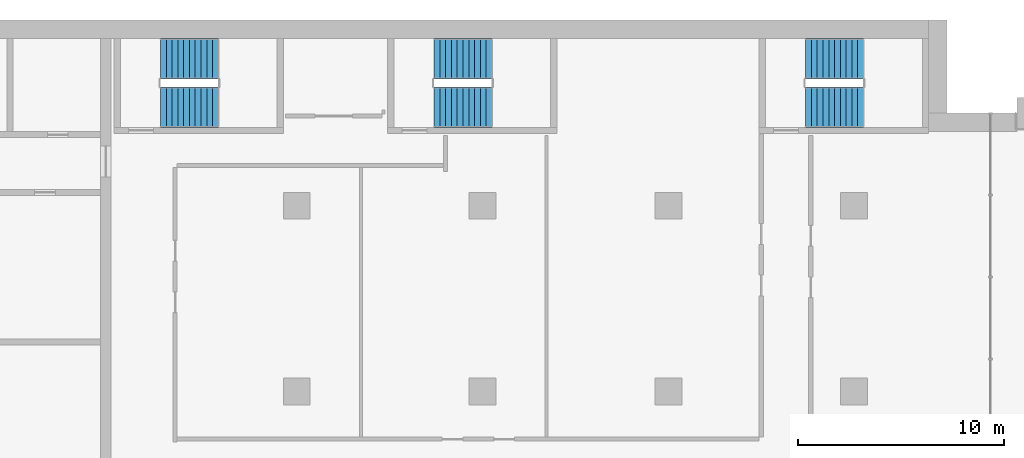
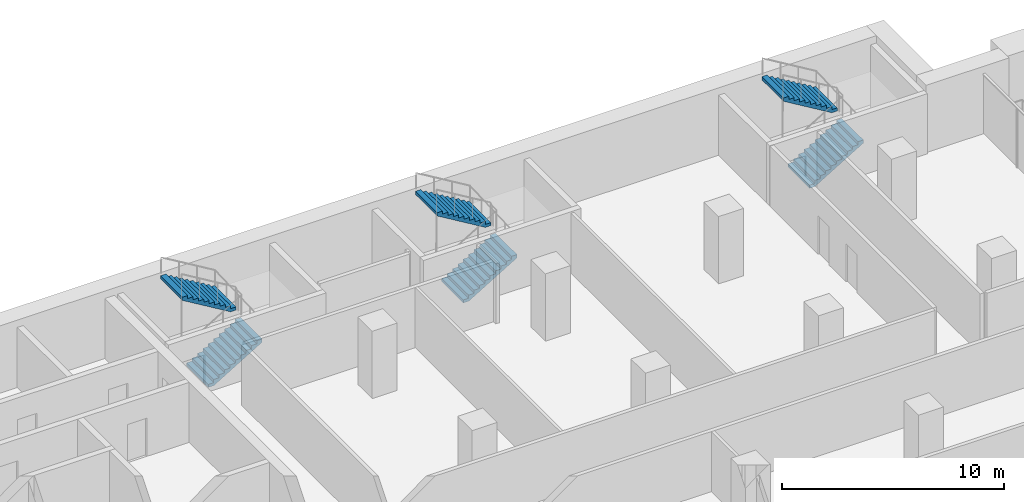
# One storey, part 18 of 23: 6 stair flights, 3 elements without a shape of their own.
"""IFC4 building model written with IfcOpenShell, lengths in metres."""

from ifc_helpers import new_model, si_unit, direction, frame, origin, place, context, subcontext, project, spatial, polyline, outline, extrude, material, type_object, element, aggregate, save


model = new_model("IFC4")

# Units and contexts
model_context = context("Model", 3, precision=1e-05, world=origin(), true_north=direction((0.0, 1.0)))
body_context = subcontext(model_context, "Body", "Model", "MODEL_VIEW")
ifc_project = project(units=[si_unit("LENGTHUNIT", "METRE"), si_unit("AREAUNIT", "SQUARE_METRE"), si_unit("VOLUMEUNIT", "CUBIC_METRE"), si_unit("PLANEANGLEUNIT", "RADIAN"), si_unit("MASSUNIT", "GRAM", prefix="KILO")], contexts=[model_context])

# Site, building, storey
site_placement = place(None, origin())
site = spatial("IfcSite", under=ifc_project, at=site_placement, CompositionType="ELEMENT")
building_placement = place(site_placement, origin())
building = spatial("IfcBuilding", under=site, at=building_placement, Name="Hunhe Ridgeline Campus", CompositionType="ELEMENT")
storey_placement = place(building_placement, frame((0.0, 0.0, 99.60009765625)))
storey = spatial("IfcBuildingStorey", under=building, at=storey_placement, Name="L24", CompositionType="ELEMENT", Elevation=99.60009765625)

# Stair, stair flights
ifc_material = material(Name="Concrete C40", Category="concrete")
stair_type = type_object("IfcStairType", Name="Reinforced concrete dog-leg stair 1950 Concrete C40", PredefinedType="HALF_TURN_STAIR", material=ifc_material)
stair_1_placement = place(storey_placement, origin())
stair_1 = element("IfcStair", 1, at=stair_1_placement, inside=storey, type_object=stair_type, Name="L24 E1", PredefinedType="HALF_TURN_STAIR")
stair_flight_type = type_object("IfcStairFlightType", Name="Reinforced concrete stair flight 1950 Concrete C40", PredefinedType="STRAIGHT", material=ifc_material)
stair_flight_1_placement = place(storey_placement, frame((38.39990234375, 94.77490234375, 0.0), z_axis=(0.0, 0.0, 1.0), x_axis=(1.0, 0.0, 0.0)))
stair_flight_1 = element("IfcStairFlight", 2, at=stair_flight_1_placement, type_object=stair_flight_type, Name="ST5 flight 1", NumberOfRisers=11, NumberOfTreads=10, PredefinedType="STRAIGHT", RiserHeight=0.168181818, TreadLength=0.28, context=body_context, shape_type="SweptSolid", body=[
    extrude(outline(polyline([(0.0, 0.0), (0.0, 0.168212890625), (0.280029296875, 0.168212890625), (0.280029296875, 0.33642578125), (0.56005859375, 0.33642578125), (0.56005859375, 0.504638671875), (0.840087890625, 0.504638671875), (0.840087890625, 0.672607421875), (1.1201171875, 0.672607421875), (1.1201171875, 0.8408203125), (1.39990234375, 0.8408203125), (1.39990234375, 1.009033203125), (1.679931640625, 1.009033203125), (1.679931640625, 1.17724609375), (1.9599609375, 1.17724609375), (1.9599609375, 1.345458984375), (2.239990234375, 1.345458984375), (2.239990234375, 1.513671875), (2.52001953125, 1.513671875), (2.52001953125, 1.681884765625), (2.800048828125, 1.681884765625), (2.800048828125, 1.85009765625), (2.800048828125, 1.5068359375), (0.291015625, 0.0), (0.0, 0.0)])), frame((0.0, 0.97509765625, 0.0), z_axis=(0.0, -1.0, 0.0), x_axis=(1.0, 0.0, 0.0)), (0.0, 0.0, 1.0), 1.949951171875),
    extrude(outline(polyline([(0.030029296875, 0.030029296875), (0.030029296875, 0.13818359375), (0.31005859375, 0.13818359375), (0.31005859375, 0.306396484375), (0.590087890625, 0.306396484375), (0.590087890625, 0.474609375), (0.8701171875, 0.474609375), (0.8701171875, 0.642578125), (1.14990234375, 0.642578125), (1.14990234375, 0.810791015625), (1.429931640625, 0.810791015625), (1.429931640625, 0.97900390625), (1.7099609375, 0.97900390625), (1.7099609375, 1.147216796875), (1.989990234375, 1.147216796875), (1.989990234375, 1.3154296875), (2.27001953125, 1.3154296875), (2.27001953125, 1.483642578125), (2.550048828125, 1.483642578125), (2.550048828125, 1.65185546875), (2.77001953125, 1.65185546875), (2.77001953125, 1.52392578125), (0.28271484375, 0.030029296875), (0.030029296875, 0.030029296875)])), frame((0.0, -0.070068359375, 0.0), z_axis=(0.0, -1.0, 0.0), x_axis=(1.0, 0.0, 0.0)), (0.0, 0.0, 1.0), 0.019775390625),
    extrude(outline(polyline([(0.030029296875, 0.030029296875), (0.030029296875, 0.13818359375), (0.31005859375, 0.13818359375), (0.31005859375, 0.306396484375), (0.590087890625, 0.306396484375), (0.590087890625, 0.474609375), (0.8701171875, 0.474609375), (0.8701171875, 0.642578125), (1.14990234375, 0.642578125), (1.14990234375, 0.810791015625), (1.429931640625, 0.810791015625), (1.429931640625, 0.97900390625), (1.7099609375, 0.97900390625), (1.7099609375, 1.147216796875), (1.989990234375, 1.147216796875), (1.989990234375, 1.3154296875), (2.27001953125, 1.3154296875), (2.27001953125, 1.483642578125), (2.550048828125, 1.483642578125), (2.550048828125, 1.65185546875), (2.77001953125, 1.65185546875), (2.77001953125, 1.52392578125), (0.28271484375, 0.030029296875), (0.030029296875, 0.030029296875)])), frame((0.0, 0.010009765625, 0.0), z_axis=(0.0, -1.0, 0.0), x_axis=(1.0, 0.0, 0.0)), (0.0, 0.0, 1.0), 0.019775390625),
    extrude(outline(polyline([(0.030029296875, 0.030029296875), (0.030029296875, 0.13818359375), (0.31005859375, 0.13818359375), (0.31005859375, 0.306396484375), (0.590087890625, 0.306396484375), (0.590087890625, 0.474609375), (0.8701171875, 0.474609375), (0.8701171875, 0.642578125), (1.14990234375, 0.642578125), (1.14990234375, 0.810791015625), (1.429931640625, 0.810791015625), (1.429931640625, 0.97900390625), (1.7099609375, 0.97900390625), (1.7099609375, 1.147216796875), (1.989990234375, 1.147216796875), (1.989990234375, 1.3154296875), (2.27001953125, 1.3154296875), (2.27001953125, 1.483642578125), (2.550048828125, 1.483642578125), (2.550048828125, 1.65185546875), (2.77001953125, 1.65185546875), (2.77001953125, 1.52392578125), (0.28271484375, 0.030029296875), (0.030029296875, 0.030029296875)])), frame((0.0, 0.090087890625, 0.0), z_axis=(0.0, -1.0, 0.0), x_axis=(1.0, 0.0, 0.0)), (0.0, 0.0, 1.0), 0.019775390625),
])
stair_flight_2_placement = place(storey_placement, frame((41.199951171875, 97.125, 1.849853515625), z_axis=(0.0, 0.0, 1.0), x_axis=(-1.0, 0.0, 0.0)))
stair_flight_2 = element("IfcStairFlight", 3, at=stair_flight_2_placement, type_object=stair_flight_type, Name="ST5 flight 2", NumberOfRisers=11, NumberOfTreads=10, PredefinedType="STRAIGHT", RiserHeight=0.168181818, TreadLength=0.28, context=body_context, shape_type="SweptSolid", body=[
    extrude(outline(polyline([(0.0, 0.0), (0.0, 0.168212890625), (0.280029296875, 0.168212890625), (0.280029296875, 0.33642578125), (0.56005859375, 0.33642578125), (0.56005859375, 0.504638671875), (0.840087890625, 0.504638671875), (0.840087890625, 0.672607421875), (1.1201171875, 0.672607421875), (1.1201171875, 0.8408203125), (1.39990234375, 0.8408203125), (1.39990234375, 1.009033203125), (1.679931640625, 1.009033203125), (1.679931640625, 1.17724609375), (1.9599609375, 1.17724609375), (1.9599609375, 1.345458984375), (2.239990234375, 1.345458984375), (2.239990234375, 1.513671875), (2.52001953125, 1.513671875), (2.52001953125, 1.681884765625), (2.800048828125, 1.681884765625), (2.800048828125, 1.85009765625), (2.800048828125, 1.5068359375), (0.291015625, 0.0), (0.0, 0.0)])), frame((0.0, 0.97509765625, 0.0), z_axis=(0.0, -1.0, 0.0), x_axis=(1.0, 0.0, 0.0)), (0.0, 0.0, 1.0), 1.949951171875),
    extrude(outline(polyline([(0.030029296875, 0.030029296875), (0.030029296875, 0.13818359375), (0.31005859375, 0.13818359375), (0.31005859375, 0.306396484375), (0.590087890625, 0.306396484375), (0.590087890625, 0.474609375), (0.8701171875, 0.474609375), (0.8701171875, 0.642578125), (1.14990234375, 0.642578125), (1.14990234375, 0.810791015625), (1.429931640625, 0.810791015625), (1.429931640625, 0.97900390625), (1.7099609375, 0.97900390625), (1.7099609375, 1.147216796875), (1.989990234375, 1.147216796875), (1.989990234375, 1.3154296875), (2.27001953125, 1.3154296875), (2.27001953125, 1.483642578125), (2.550048828125, 1.483642578125), (2.550048828125, 1.65185546875), (2.77001953125, 1.65185546875), (2.77001953125, 1.52392578125), (0.28271484375, 0.030029296875), (0.030029296875, 0.030029296875)])), frame((0.0, -0.070068359375, 0.0), z_axis=(0.0, -1.0, 0.0), x_axis=(1.0, 0.0, 0.0)), (0.0, 0.0, 1.0), 0.019775390625),
    extrude(outline(polyline([(0.030029296875, 0.030029296875), (0.030029296875, 0.13818359375), (0.31005859375, 0.13818359375), (0.31005859375, 0.306396484375), (0.590087890625, 0.306396484375), (0.590087890625, 0.474609375), (0.8701171875, 0.474609375), (0.8701171875, 0.642578125), (1.14990234375, 0.642578125), (1.14990234375, 0.810791015625), (1.429931640625, 0.810791015625), (1.429931640625, 0.97900390625), (1.7099609375, 0.97900390625), (1.7099609375, 1.147216796875), (1.989990234375, 1.147216796875), (1.989990234375, 1.3154296875), (2.27001953125, 1.3154296875), (2.27001953125, 1.483642578125), (2.550048828125, 1.483642578125), (2.550048828125, 1.65185546875), (2.77001953125, 1.65185546875), (2.77001953125, 1.52392578125), (0.28271484375, 0.030029296875), (0.030029296875, 0.030029296875)])), frame((0.0, 0.010009765625, 0.0), z_axis=(0.0, -1.0, 0.0), x_axis=(1.0, 0.0, 0.0)), (0.0, 0.0, 1.0), 0.019775390625),
    extrude(outline(polyline([(0.030029296875, 0.030029296875), (0.030029296875, 0.13818359375), (0.31005859375, 0.13818359375), (0.31005859375, 0.306396484375), (0.590087890625, 0.306396484375), (0.590087890625, 0.474609375), (0.8701171875, 0.474609375), (0.8701171875, 0.642578125), (1.14990234375, 0.642578125), (1.14990234375, 0.810791015625), (1.429931640625, 0.810791015625), (1.429931640625, 0.97900390625), (1.7099609375, 0.97900390625), (1.7099609375, 1.147216796875), (1.989990234375, 1.147216796875), (1.989990234375, 1.3154296875), (2.27001953125, 1.3154296875), (2.27001953125, 1.483642578125), (2.550048828125, 1.483642578125), (2.550048828125, 1.65185546875), (2.77001953125, 1.65185546875), (2.77001953125, 1.52392578125), (0.28271484375, 0.030029296875), (0.030029296875, 0.030029296875)])), frame((0.0, 0.090087890625, 0.0), z_axis=(0.0, -1.0, 0.0), x_axis=(1.0, 0.0, 0.0)), (0.0, 0.0, 1.0), 0.019775390625),
])
aggregate(stair_1, [stair_flight_1, stair_flight_2])

stair_2_placement = place(storey_placement, origin())
stair_2 = element("IfcStair", 4, at=stair_2_placement, inside=storey, type_object=stair_type, Name="L24 E2", PredefinedType="HALF_TURN_STAIR")
stair_flight_3_placement = place(storey_placement, frame((51.64990234375, 94.77490234375, 0.0), z_axis=(0.0, 0.0, 1.0), x_axis=(1.0, 0.0, 0.0)))
stair_flight_3 = element("IfcStairFlight", 5, at=stair_flight_3_placement, type_object=stair_flight_type, Name="ST6 flight 1", NumberOfRisers=11, NumberOfTreads=10, PredefinedType="STRAIGHT", RiserHeight=0.168181818, TreadLength=0.28, context=body_context, shape_type="SweptSolid", body=[
    extrude(outline(polyline([(0.0, 0.0), (0.0, 0.168212890625), (0.280029296875, 0.168212890625), (0.280029296875, 0.33642578125), (0.56005859375, 0.33642578125), (0.56005859375, 0.504638671875), (0.840087890625, 0.504638671875), (0.840087890625, 0.672607421875), (1.1201171875, 0.672607421875), (1.1201171875, 0.8408203125), (1.39990234375, 0.8408203125), (1.39990234375, 1.009033203125), (1.679931640625, 1.009033203125), (1.679931640625, 1.17724609375), (1.9599609375, 1.17724609375), (1.9599609375, 1.345458984375), (2.239990234375, 1.345458984375), (2.239990234375, 1.513671875), (2.52001953125, 1.513671875), (2.52001953125, 1.681884765625), (2.800048828125, 1.681884765625), (2.800048828125, 1.85009765625), (2.800048828125, 1.5068359375), (0.291015625, 0.0), (0.0, 0.0)])), frame((0.0, 0.97509765625, 0.0), z_axis=(0.0, -1.0, 0.0), x_axis=(1.0, 0.0, 0.0)), (0.0, 0.0, 1.0), 1.949951171875),
    extrude(outline(polyline([(0.030029296875, 0.030029296875), (0.030029296875, 0.13818359375), (0.31005859375, 0.13818359375), (0.31005859375, 0.306396484375), (0.590087890625, 0.306396484375), (0.590087890625, 0.474609375), (0.8701171875, 0.474609375), (0.8701171875, 0.642578125), (1.14990234375, 0.642578125), (1.14990234375, 0.810791015625), (1.429931640625, 0.810791015625), (1.429931640625, 0.97900390625), (1.7099609375, 0.97900390625), (1.7099609375, 1.147216796875), (1.989990234375, 1.147216796875), (1.989990234375, 1.3154296875), (2.27001953125, 1.3154296875), (2.27001953125, 1.483642578125), (2.550048828125, 1.483642578125), (2.550048828125, 1.65185546875), (2.77001953125, 1.65185546875), (2.77001953125, 1.52392578125), (0.28271484375, 0.030029296875), (0.030029296875, 0.030029296875)])), frame((0.0, -0.070068359375, 0.0), z_axis=(0.0, -1.0, 0.0), x_axis=(1.0, 0.0, 0.0)), (0.0, 0.0, 1.0), 0.019775390625),
    extrude(outline(polyline([(0.030029296875, 0.030029296875), (0.030029296875, 0.13818359375), (0.31005859375, 0.13818359375), (0.31005859375, 0.306396484375), (0.590087890625, 0.306396484375), (0.590087890625, 0.474609375), (0.8701171875, 0.474609375), (0.8701171875, 0.642578125), (1.14990234375, 0.642578125), (1.14990234375, 0.810791015625), (1.429931640625, 0.810791015625), (1.429931640625, 0.97900390625), (1.7099609375, 0.97900390625), (1.7099609375, 1.147216796875), (1.989990234375, 1.147216796875), (1.989990234375, 1.3154296875), (2.27001953125, 1.3154296875), (2.27001953125, 1.483642578125), (2.550048828125, 1.483642578125), (2.550048828125, 1.65185546875), (2.77001953125, 1.65185546875), (2.77001953125, 1.52392578125), (0.28271484375, 0.030029296875), (0.030029296875, 0.030029296875)])), frame((0.0, 0.010009765625, 0.0), z_axis=(0.0, -1.0, 0.0), x_axis=(1.0, 0.0, 0.0)), (0.0, 0.0, 1.0), 0.019775390625),
    extrude(outline(polyline([(0.030029296875, 0.030029296875), (0.030029296875, 0.13818359375), (0.31005859375, 0.13818359375), (0.31005859375, 0.306396484375), (0.590087890625, 0.306396484375), (0.590087890625, 0.474609375), (0.8701171875, 0.474609375), (0.8701171875, 0.642578125), (1.14990234375, 0.642578125), (1.14990234375, 0.810791015625), (1.429931640625, 0.810791015625), (1.429931640625, 0.97900390625), (1.7099609375, 0.97900390625), (1.7099609375, 1.147216796875), (1.989990234375, 1.147216796875), (1.989990234375, 1.3154296875), (2.27001953125, 1.3154296875), (2.27001953125, 1.483642578125), (2.550048828125, 1.483642578125), (2.550048828125, 1.65185546875), (2.77001953125, 1.65185546875), (2.77001953125, 1.52392578125), (0.28271484375, 0.030029296875), (0.030029296875, 0.030029296875)])), frame((0.0, 0.090087890625, 0.0), z_axis=(0.0, -1.0, 0.0), x_axis=(1.0, 0.0, 0.0)), (0.0, 0.0, 1.0), 0.019775390625),
])
stair_flight_4_placement = place(storey_placement, frame((54.449951171875, 97.125, 1.849853515625), z_axis=(0.0, 0.0, 1.0), x_axis=(-1.0, 0.0, 0.0)))
stair_flight_4 = element("IfcStairFlight", 6, at=stair_flight_4_placement, type_object=stair_flight_type, Name="ST6 flight 2", NumberOfRisers=11, NumberOfTreads=10, PredefinedType="STRAIGHT", RiserHeight=0.168181818, TreadLength=0.28, context=body_context, shape_type="SweptSolid", body=[
    extrude(outline(polyline([(0.0, 0.0), (0.0, 0.168212890625), (0.280029296875, 0.168212890625), (0.280029296875, 0.33642578125), (0.56005859375, 0.33642578125), (0.56005859375, 0.504638671875), (0.840087890625, 0.504638671875), (0.840087890625, 0.672607421875), (1.1201171875, 0.672607421875), (1.1201171875, 0.8408203125), (1.39990234375, 0.8408203125), (1.39990234375, 1.009033203125), (1.679931640625, 1.009033203125), (1.679931640625, 1.17724609375), (1.9599609375, 1.17724609375), (1.9599609375, 1.345458984375), (2.239990234375, 1.345458984375), (2.239990234375, 1.513671875), (2.52001953125, 1.513671875), (2.52001953125, 1.681884765625), (2.800048828125, 1.681884765625), (2.800048828125, 1.85009765625), (2.800048828125, 1.5068359375), (0.291015625, 0.0), (0.0, 0.0)])), frame((0.0, 0.97509765625, 0.0), z_axis=(0.0, -1.0, 0.0), x_axis=(1.0, 0.0, 0.0)), (0.0, 0.0, 1.0), 1.949951171875),
    extrude(outline(polyline([(0.030029296875, 0.030029296875), (0.030029296875, 0.13818359375), (0.31005859375, 0.13818359375), (0.31005859375, 0.306396484375), (0.590087890625, 0.306396484375), (0.590087890625, 0.474609375), (0.8701171875, 0.474609375), (0.8701171875, 0.642578125), (1.14990234375, 0.642578125), (1.14990234375, 0.810791015625), (1.429931640625, 0.810791015625), (1.429931640625, 0.97900390625), (1.7099609375, 0.97900390625), (1.7099609375, 1.147216796875), (1.989990234375, 1.147216796875), (1.989990234375, 1.3154296875), (2.27001953125, 1.3154296875), (2.27001953125, 1.483642578125), (2.550048828125, 1.483642578125), (2.550048828125, 1.65185546875), (2.77001953125, 1.65185546875), (2.77001953125, 1.52392578125), (0.28271484375, 0.030029296875), (0.030029296875, 0.030029296875)])), frame((0.0, -0.070068359375, 0.0), z_axis=(0.0, -1.0, 0.0), x_axis=(1.0, 0.0, 0.0)), (0.0, 0.0, 1.0), 0.019775390625),
    extrude(outline(polyline([(0.030029296875, 0.030029296875), (0.030029296875, 0.13818359375), (0.31005859375, 0.13818359375), (0.31005859375, 0.306396484375), (0.590087890625, 0.306396484375), (0.590087890625, 0.474609375), (0.8701171875, 0.474609375), (0.8701171875, 0.642578125), (1.14990234375, 0.642578125), (1.14990234375, 0.810791015625), (1.429931640625, 0.810791015625), (1.429931640625, 0.97900390625), (1.7099609375, 0.97900390625), (1.7099609375, 1.147216796875), (1.989990234375, 1.147216796875), (1.989990234375, 1.3154296875), (2.27001953125, 1.3154296875), (2.27001953125, 1.483642578125), (2.550048828125, 1.483642578125), (2.550048828125, 1.65185546875), (2.77001953125, 1.65185546875), (2.77001953125, 1.52392578125), (0.28271484375, 0.030029296875), (0.030029296875, 0.030029296875)])), frame((0.0, 0.010009765625, 0.0), z_axis=(0.0, -1.0, 0.0), x_axis=(1.0, 0.0, 0.0)), (0.0, 0.0, 1.0), 0.019775390625),
    extrude(outline(polyline([(0.030029296875, 0.030029296875), (0.030029296875, 0.13818359375), (0.31005859375, 0.13818359375), (0.31005859375, 0.306396484375), (0.590087890625, 0.306396484375), (0.590087890625, 0.474609375), (0.8701171875, 0.474609375), (0.8701171875, 0.642578125), (1.14990234375, 0.642578125), (1.14990234375, 0.810791015625), (1.429931640625, 0.810791015625), (1.429931640625, 0.97900390625), (1.7099609375, 0.97900390625), (1.7099609375, 1.147216796875), (1.989990234375, 1.147216796875), (1.989990234375, 1.3154296875), (2.27001953125, 1.3154296875), (2.27001953125, 1.483642578125), (2.550048828125, 1.483642578125), (2.550048828125, 1.65185546875), (2.77001953125, 1.65185546875), (2.77001953125, 1.52392578125), (0.28271484375, 0.030029296875), (0.030029296875, 0.030029296875)])), frame((0.0, 0.090087890625, 0.0), z_axis=(0.0, -1.0, 0.0), x_axis=(1.0, 0.0, 0.0)), (0.0, 0.0, 1.0), 0.019775390625),
])
aggregate(stair_2, [stair_flight_3, stair_flight_4])

stair_3_placement = place(storey_placement, origin())
stair_3 = element("IfcStair", 7, at=stair_3_placement, inside=storey, type_object=stair_type, Name="L24 E3", PredefinedType="HALF_TURN_STAIR")
stair_flight_5_placement = place(storey_placement, frame((69.64990234375, 94.77490234375, 0.0), z_axis=(0.0, 0.0, 1.0), x_axis=(1.0, 0.0, 0.0)))
stair_flight_5 = element("IfcStairFlight", 8, at=stair_flight_5_placement, type_object=stair_flight_type, Name="ST7 flight 1", NumberOfRisers=11, NumberOfTreads=10, PredefinedType="STRAIGHT", RiserHeight=0.168181818, TreadLength=0.28, context=body_context, shape_type="SweptSolid", body=[
    extrude(outline(polyline([(0.0, 0.0), (0.0, 0.168212890625), (0.280029296875, 0.168212890625), (0.280029296875, 0.33642578125), (0.56005859375, 0.33642578125), (0.56005859375, 0.504638671875), (0.840087890625, 0.504638671875), (0.840087890625, 0.672607421875), (1.1201171875, 0.672607421875), (1.1201171875, 0.8408203125), (1.39990234375, 0.8408203125), (1.39990234375, 1.009033203125), (1.679931640625, 1.009033203125), (1.679931640625, 1.17724609375), (1.9599609375, 1.17724609375), (1.9599609375, 1.345458984375), (2.239990234375, 1.345458984375), (2.239990234375, 1.513671875), (2.52001953125, 1.513671875), (2.52001953125, 1.681884765625), (2.800048828125, 1.681884765625), (2.800048828125, 1.85009765625), (2.800048828125, 1.5068359375), (0.291015625, 0.0), (0.0, 0.0)])), frame((0.0, 0.97509765625, 0.0), z_axis=(0.0, -1.0, 0.0), x_axis=(1.0, 0.0, 0.0)), (0.0, 0.0, 1.0), 1.949951171875),
    extrude(outline(polyline([(0.030029296875, 0.030029296875), (0.030029296875, 0.13818359375), (0.31005859375, 0.13818359375), (0.31005859375, 0.306396484375), (0.590087890625, 0.306396484375), (0.590087890625, 0.474609375), (0.8701171875, 0.474609375), (0.8701171875, 0.642578125), (1.14990234375, 0.642578125), (1.14990234375, 0.810791015625), (1.429931640625, 0.810791015625), (1.429931640625, 0.97900390625), (1.7099609375, 0.97900390625), (1.7099609375, 1.147216796875), (1.989990234375, 1.147216796875), (1.989990234375, 1.3154296875), (2.27001953125, 1.3154296875), (2.27001953125, 1.483642578125), (2.550048828125, 1.483642578125), (2.550048828125, 1.65185546875), (2.77001953125, 1.65185546875), (2.77001953125, 1.52392578125), (0.28271484375, 0.030029296875), (0.030029296875, 0.030029296875)])), frame((0.0, -0.070068359375, 0.0), z_axis=(0.0, -1.0, 0.0), x_axis=(1.0, 0.0, 0.0)), (0.0, 0.0, 1.0), 0.019775390625),
    extrude(outline(polyline([(0.030029296875, 0.030029296875), (0.030029296875, 0.13818359375), (0.31005859375, 0.13818359375), (0.31005859375, 0.306396484375), (0.590087890625, 0.306396484375), (0.590087890625, 0.474609375), (0.8701171875, 0.474609375), (0.8701171875, 0.642578125), (1.14990234375, 0.642578125), (1.14990234375, 0.810791015625), (1.429931640625, 0.810791015625), (1.429931640625, 0.97900390625), (1.7099609375, 0.97900390625), (1.7099609375, 1.147216796875), (1.989990234375, 1.147216796875), (1.989990234375, 1.3154296875), (2.27001953125, 1.3154296875), (2.27001953125, 1.483642578125), (2.550048828125, 1.483642578125), (2.550048828125, 1.65185546875), (2.77001953125, 1.65185546875), (2.77001953125, 1.52392578125), (0.28271484375, 0.030029296875), (0.030029296875, 0.030029296875)])), frame((0.0, 0.010009765625, 0.0), z_axis=(0.0, -1.0, 0.0), x_axis=(1.0, 0.0, 0.0)), (0.0, 0.0, 1.0), 0.019775390625),
    extrude(outline(polyline([(0.030029296875, 0.030029296875), (0.030029296875, 0.13818359375), (0.31005859375, 0.13818359375), (0.31005859375, 0.306396484375), (0.590087890625, 0.306396484375), (0.590087890625, 0.474609375), (0.8701171875, 0.474609375), (0.8701171875, 0.642578125), (1.14990234375, 0.642578125), (1.14990234375, 0.810791015625), (1.429931640625, 0.810791015625), (1.429931640625, 0.97900390625), (1.7099609375, 0.97900390625), (1.7099609375, 1.147216796875), (1.989990234375, 1.147216796875), (1.989990234375, 1.3154296875), (2.27001953125, 1.3154296875), (2.27001953125, 1.483642578125), (2.550048828125, 1.483642578125), (2.550048828125, 1.65185546875), (2.77001953125, 1.65185546875), (2.77001953125, 1.52392578125), (0.28271484375, 0.030029296875), (0.030029296875, 0.030029296875)])), frame((0.0, 0.090087890625, 0.0), z_axis=(0.0, -1.0, 0.0), x_axis=(1.0, 0.0, 0.0)), (0.0, 0.0, 1.0), 0.019775390625),
])
stair_flight_6_placement = place(storey_placement, frame((72.449951171875, 97.125, 1.849853515625), z_axis=(0.0, 0.0, 1.0), x_axis=(-1.0, 0.0, 0.0)))
stair_flight_6 = element("IfcStairFlight", 9, at=stair_flight_6_placement, type_object=stair_flight_type, Name="ST7 flight 2", NumberOfRisers=11, NumberOfTreads=10, PredefinedType="STRAIGHT", RiserHeight=0.168181818, TreadLength=0.28, context=body_context, shape_type="SweptSolid", body=[
    extrude(outline(polyline([(0.0, 0.0), (0.0, 0.168212890625), (0.280029296875, 0.168212890625), (0.280029296875, 0.33642578125), (0.56005859375, 0.33642578125), (0.56005859375, 0.504638671875), (0.840087890625, 0.504638671875), (0.840087890625, 0.672607421875), (1.1201171875, 0.672607421875), (1.1201171875, 0.8408203125), (1.39990234375, 0.8408203125), (1.39990234375, 1.009033203125), (1.679931640625, 1.009033203125), (1.679931640625, 1.17724609375), (1.9599609375, 1.17724609375), (1.9599609375, 1.345458984375), (2.239990234375, 1.345458984375), (2.239990234375, 1.513671875), (2.52001953125, 1.513671875), (2.52001953125, 1.681884765625), (2.800048828125, 1.681884765625), (2.800048828125, 1.85009765625), (2.800048828125, 1.5068359375), (0.291015625, 0.0), (0.0, 0.0)])), frame((0.0, 0.97509765625, 0.0), z_axis=(0.0, -1.0, 0.0), x_axis=(1.0, 0.0, 0.0)), (0.0, 0.0, 1.0), 1.949951171875),
    extrude(outline(polyline([(0.030029296875, 0.030029296875), (0.030029296875, 0.13818359375), (0.31005859375, 0.13818359375), (0.31005859375, 0.306396484375), (0.590087890625, 0.306396484375), (0.590087890625, 0.474609375), (0.8701171875, 0.474609375), (0.8701171875, 0.642578125), (1.14990234375, 0.642578125), (1.14990234375, 0.810791015625), (1.429931640625, 0.810791015625), (1.429931640625, 0.97900390625), (1.7099609375, 0.97900390625), (1.7099609375, 1.147216796875), (1.989990234375, 1.147216796875), (1.989990234375, 1.3154296875), (2.27001953125, 1.3154296875), (2.27001953125, 1.483642578125), (2.550048828125, 1.483642578125), (2.550048828125, 1.65185546875), (2.77001953125, 1.65185546875), (2.77001953125, 1.52392578125), (0.28271484375, 0.030029296875), (0.030029296875, 0.030029296875)])), frame((0.0, -0.070068359375, 0.0), z_axis=(0.0, -1.0, 0.0), x_axis=(1.0, 0.0, 0.0)), (0.0, 0.0, 1.0), 0.019775390625),
    extrude(outline(polyline([(0.030029296875, 0.030029296875), (0.030029296875, 0.13818359375), (0.31005859375, 0.13818359375), (0.31005859375, 0.306396484375), (0.590087890625, 0.306396484375), (0.590087890625, 0.474609375), (0.8701171875, 0.474609375), (0.8701171875, 0.642578125), (1.14990234375, 0.642578125), (1.14990234375, 0.810791015625), (1.429931640625, 0.810791015625), (1.429931640625, 0.97900390625), (1.7099609375, 0.97900390625), (1.7099609375, 1.147216796875), (1.989990234375, 1.147216796875), (1.989990234375, 1.3154296875), (2.27001953125, 1.3154296875), (2.27001953125, 1.483642578125), (2.550048828125, 1.483642578125), (2.550048828125, 1.65185546875), (2.77001953125, 1.65185546875), (2.77001953125, 1.52392578125), (0.28271484375, 0.030029296875), (0.030029296875, 0.030029296875)])), frame((0.0, 0.010009765625, 0.0), z_axis=(0.0, -1.0, 0.0), x_axis=(1.0, 0.0, 0.0)), (0.0, 0.0, 1.0), 0.019775390625),
    extrude(outline(polyline([(0.030029296875, 0.030029296875), (0.030029296875, 0.13818359375), (0.31005859375, 0.13818359375), (0.31005859375, 0.306396484375), (0.590087890625, 0.306396484375), (0.590087890625, 0.474609375), (0.8701171875, 0.474609375), (0.8701171875, 0.642578125), (1.14990234375, 0.642578125), (1.14990234375, 0.810791015625), (1.429931640625, 0.810791015625), (1.429931640625, 0.97900390625), (1.7099609375, 0.97900390625), (1.7099609375, 1.147216796875), (1.989990234375, 1.147216796875), (1.989990234375, 1.3154296875), (2.27001953125, 1.3154296875), (2.27001953125, 1.483642578125), (2.550048828125, 1.483642578125), (2.550048828125, 1.65185546875), (2.77001953125, 1.65185546875), (2.77001953125, 1.52392578125), (0.28271484375, 0.030029296875), (0.030029296875, 0.030029296875)])), frame((0.0, 0.090087890625, 0.0), z_axis=(0.0, -1.0, 0.0), x_axis=(1.0, 0.0, 0.0)), (0.0, 0.0, 1.0), 0.019775390625),
])
aggregate(stair_3, [stair_flight_5, stair_flight_6])

save(model, "model.ifc")
